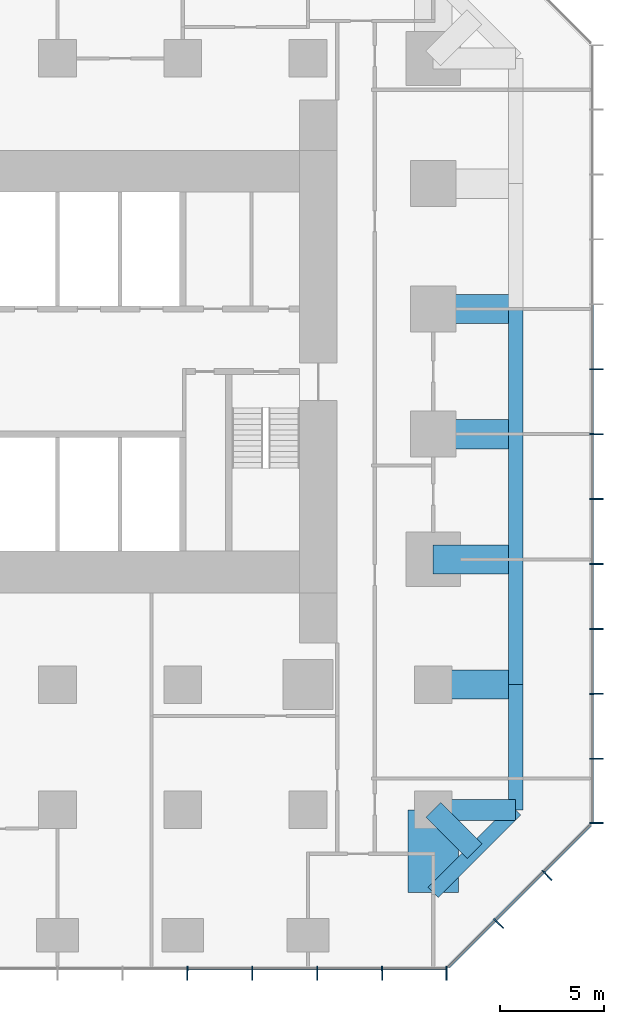
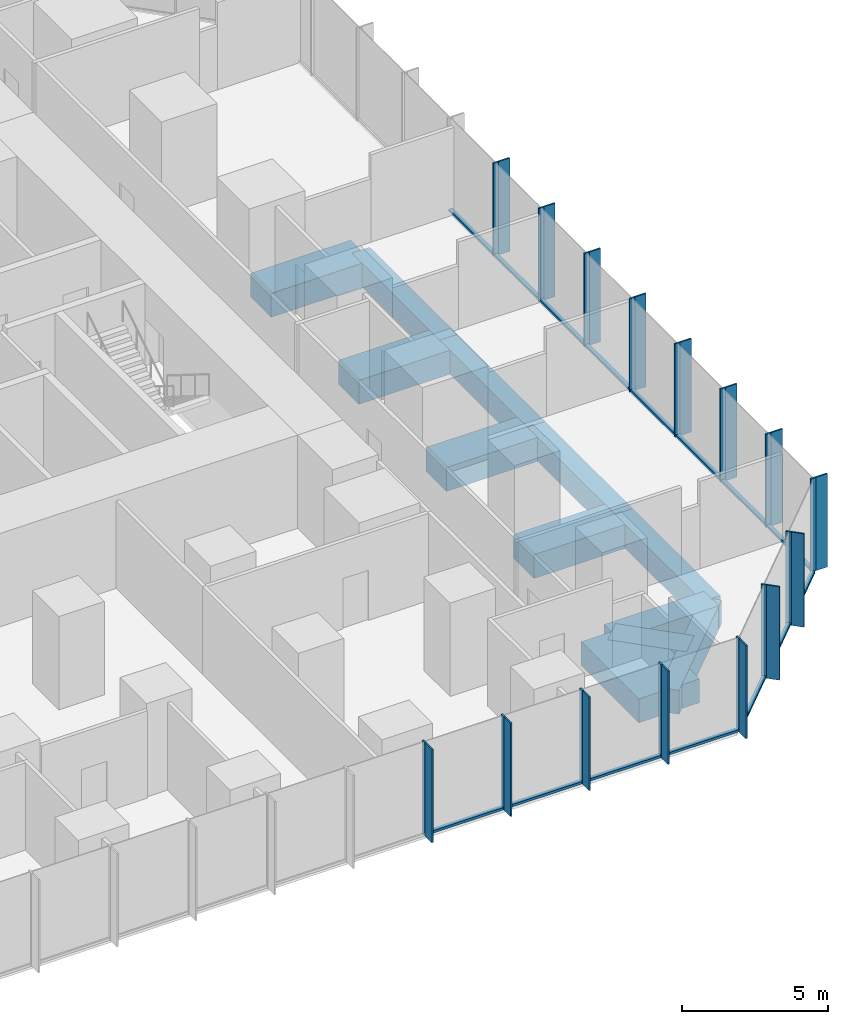
# One storey, part 4 of 12: 45 members, 12 beams, 3 elements without a shape of their own.
"""IFC4 building model written with IfcOpenShell, lengths in metres."""

from ifc_helpers import new_model, si_unit, direction, frame, origin, origin_2d, place, context, subcontext, project, spatial, rectangle, extrude, material, layer, layer_set, material_profile, profile_set, type_object, element, aggregate, save


model = new_model("IFC4")

# Units and contexts
model_context = context("Model", 3, precision=1e-05, world=origin(), true_north=direction((0.0, 1.0)))
body_context = subcontext(model_context, "Body", "Model", "MODEL_VIEW")
ifc_project = project(units=[si_unit("LENGTHUNIT", "METRE"), si_unit("AREAUNIT", "SQUARE_METRE"), si_unit("VOLUMEUNIT", "CUBIC_METRE"), si_unit("PLANEANGLEUNIT", "RADIAN"), si_unit("MASSUNIT", "GRAM", prefix="KILO")], contexts=[model_context])

# Site, building, storey
site_placement = place(None, origin())
site = spatial("IfcSite", under=ifc_project, at=site_placement, CompositionType="ELEMENT")
building_placement = place(site_placement, origin())
building = spatial("IfcBuilding", under=site, at=building_placement, Name="Highveld Stack Headquarters", CompositionType="ELEMENT")
storey_placement = place(building_placement, frame((0.0, 0.0, 53.300048828125)))
storey = spatial("IfcBuildingStorey", under=building, at=storey_placement, Name="L12", CompositionType="ELEMENT", Elevation=53.300048828125)

# Beams
ifc_material_1 = material(Name="Concrete C60/75", Category="concrete")
ifc_material_profile_1 = material_profile(ifc_material_1, rectangle(XDim=1.0, YDim=1.0, at=origin_2d()), Name="RC 1000x1000")
ifc_profile_set_1 = profile_set([ifc_material_profile_1], Name="Concrete C60/75")
beam_type_1 = type_object("IfcBeamType", Name="CANTILEVER RIB RC 1000x1000", PredefinedType="USERDEFINED", material=ifc_profile_set_1)
beam_1_placement = place(storey_placement, frame((24.0, -18.0, -0.75), z_axis=(1.0, 0.0, 0.0), x_axis=(0.0, 1.0, 0.0)))
element("IfcBeam", 1, at=beam_1_placement, inside=storey, type_object=beam_type_1, Name="Cantilever rib 10/B L12", ObjectType="CANTILEVER RIB", PredefinedType="USERDEFINED", context=body_context, shape_type="SweptSolid", body=[
    extrude(rectangle(XDim=1.0, YDim=1.0, at=origin_2d()), origin(), (0.0, 0.0, 1.0), 3.949951171875),
])
beam_2_placement = place(storey_placement, frame((24.0, -18.0, -0.75), z_axis=(0.707106781187, -0.707106781187, 0.0), x_axis=(0.707106781187, 0.707106781187, 0.0)))
element("IfcBeam", 2, at=beam_2_placement, inside=storey, type_object=beam_type_1, Name="Cantilever rib 10/B L12", ObjectType="CANTILEVER RIB", PredefinedType="USERDEFINED", context=body_context, shape_type="SweptSolid", body=[
    extrude(rectangle(XDim=1.0, YDim=1.0, at=origin_2d()), origin(), (0.0, 0.0, 1.0), 2.793212890625),
])
ifc_material_2 = material(Name="Concrete C60/75", Category="concrete")
ifc_material_profile_2 = material_profile(ifc_material_2, rectangle(XDim=1.39990234375, YDim=1.0, at=origin_2d()), Name="RC 1400x1000")
ifc_profile_set_2 = profile_set([ifc_material_profile_2], Name="Concrete C60/75")
beam_type_2 = type_object("IfcBeamType", Name="CANTILEVER RIB RC 1400x1000", PredefinedType="USERDEFINED", material=ifc_profile_set_2)
for number, where, z_axis, x_axis, name in (
    (3, (24.0, -12.0, -0.75), (1.0, 0.0, 0.0), (0.0, 1.0, 0.0), "Cantilever rib 10/C L12"),
    (4, (24.0, -6.0, -0.75), (1.0, 0.0, 0.0), (0.0, 1.0, 0.0), "Cantilever rib 10/D L12"),
    (5, (24.0, 0.0, -0.75), (1.0, 0.0, 0.0), (0.0, 1.0, 0.0), "Cantilever rib 10/E L12"),
    (6, (24.0, 6.0, -0.75), (1.0, 0.0, 0.0), (0.0, 1.0, 0.0), "Cantilever rib 10/F L12"),
):
    element("IfcBeam", number, at=place(storey_placement, frame(where, z_axis=z_axis, x_axis=x_axis)), inside=storey, type_object=beam_type_2, Name=name, ObjectType="CANTILEVER RIB", PredefinedType="USERDEFINED", context=body_context, shape_type="SweptSolid", body=[
        extrude(rectangle(XDim=1.39990234375, YDim=1.0, at=origin_2d()), origin(), (0.0, 0.0, 1.0), 3.949951171875),
    ])
ifc_material_3 = material(Name="Concrete C60/75", Category="concrete")
ifc_material_profile_3 = material_profile(ifc_material_3, rectangle(XDim=2.39990234375, YDim=1.0, at=origin_2d()), Name="RC 2400x1000")
ifc_profile_set_3 = profile_set([ifc_material_profile_3], Name="Concrete C60/75")
beam_type_3 = type_object("IfcBeamType", Name="CANTILEVER RIB RC 2400x1000", PredefinedType="USERDEFINED", material=ifc_profile_set_3)
beam_3_placement = place(storey_placement, frame((24.0, -18.0, -0.75), z_axis=(0.0, -1.0, 0.0), x_axis=(1.0, 0.0, 0.0)))
element("IfcBeam", 7, at=beam_3_placement, inside=storey, type_object=beam_type_3, Name="Cantilever rib 10/B L12", ObjectType="CANTILEVER RIB", PredefinedType="USERDEFINED", context=body_context, shape_type="SweptSolid", body=[
    extrude(rectangle(XDim=2.39990234375, YDim=1.0, at=origin_2d()), origin(), (0.0, 0.0, 1.0), 3.949951171875),
])

# Curtain wall, members
ifc_material_4 = material(Name="Aluminium bronze anodised", Category="aluminium")
ifc_layer_1 = layer(ifc_material_4, 0.199951171875)
ifc_layer_set_1 = layer_set([ifc_layer_1], Name="Aluminium bronze anodised")
curtain_wall_type_1 = type_object("IfcCurtainWallType", Name="CW1 TOWER UNITISED CURTAIN WALL", PredefinedType="NOTDEFINED", material=ifc_layer_set_1)
curtain_wall_1_placement = place(storey_placement, origin())
curtain_wall_1 = element("IfcCurtainWall", 8, at=curtain_wall_1_placement, inside=storey, type_object=curtain_wall_type_1, Name="Curtain wall CW1 L12 S", PredefinedType="NOTDEFINED")
ifc_material_5 = material(Name="Aluminium bronze anodised", Category="aluminium")
ifc_material_profile_4 = material_profile(ifc_material_5, rectangle(XDim=0.449951171875, YDim=0.06005859375, at=origin_2d()), Name="FIN 450x60")
ifc_profile_set_4 = profile_set([ifc_material_profile_4], Name="Aluminium bronze anodised")
member_type_1 = type_object("IfcMemberType", Name="CW1 BRONZE FIN 450x60", PredefinedType="USERDEFINED", material=ifc_profile_set_4)
member_1_placement = place(storey_placement, frame((12.220947265625, -25.925048828125, 0.0), z_axis=(0.0, 0.0, 1.0), x_axis=(0.0, 1.0, 0.0)))
member_1 = element("IfcMember", 9, at=member_1_placement, type_object=member_type_1, Name="CW1 fin L12 9", ObjectType="FIN", PredefinedType="USERDEFINED", context=body_context, shape_type="SweptSolid", body=[
    extrude(rectangle(XDim=0.449951171875, YDim=0.06005859375, at=origin_2d()), origin(), (0.0, 0.0, 1.0), 3.89990234375),
])
member_2_placement = place(storey_placement, frame((15.331298828125, -25.925048828125, 0.0), z_axis=(0.0, 0.0, 1.0), x_axis=(0.0, 1.0, 0.0)))
member_2 = element("IfcMember", 10, at=member_2_placement, type_object=member_type_1, Name="CW1 fin L12 10", ObjectType="FIN", PredefinedType="USERDEFINED", context=body_context, shape_type="SweptSolid", body=[
    extrude(rectangle(XDim=0.449951171875, YDim=0.06005859375, at=origin_2d()), origin(), (0.0, 0.0, 1.0), 3.89990234375),
])
member_3_placement = place(storey_placement, frame((18.44189453125, -25.925048828125, 0.0), z_axis=(0.0, 0.0, 1.0), x_axis=(0.0, 1.0, 0.0)))
member_3 = element("IfcMember", 11, at=member_3_placement, type_object=member_type_1, Name="CW1 fin L12 11", ObjectType="FIN", PredefinedType="USERDEFINED", context=body_context, shape_type="SweptSolid", body=[
    extrude(rectangle(XDim=0.449951171875, YDim=0.06005859375, at=origin_2d()), origin(), (0.0, 0.0, 1.0), 3.89990234375),
])
member_4_placement = place(storey_placement, frame((21.55224609375, -25.925048828125, 0.0), z_axis=(0.0, 0.0, 1.0), x_axis=(0.0, 1.0, 0.0)))
member_4 = element("IfcMember", 12, at=member_4_placement, type_object=member_type_1, Name="CW1 fin L12 12", ObjectType="FIN", PredefinedType="USERDEFINED", context=body_context, shape_type="SweptSolid", body=[
    extrude(rectangle(XDim=0.449951171875, YDim=0.06005859375, at=origin_2d()), origin(), (0.0, 0.0, 1.0), 3.89990234375),
])
member_5_placement = place(storey_placement, frame((24.630126953125, -25.925048828125, 0.0), z_axis=(0.0, 0.0, 1.0), x_axis=(0.0, 1.0, 0.0)))
member_5 = element("IfcMember", 13, at=member_5_placement, type_object=member_type_1, Name="CW1 fin L12 13", ObjectType="FIN", PredefinedType="USERDEFINED", context=body_context, shape_type="SweptSolid", body=[
    extrude(rectangle(XDim=0.449951171875, YDim=0.06005859375, at=origin_2d()), origin(), (0.0, 0.0, 1.0), 3.89990234375),
])

curtain_wall_2_placement = place(storey_placement, origin())
curtain_wall_2 = element("IfcCurtainWall", 14, at=curtain_wall_2_placement, inside=storey, type_object=curtain_wall_type_1, Name="Curtain wall CW1 L12 E", PredefinedType="NOTDEFINED")
member_6_placement = place(storey_placement, frame((31.925048828125, -18.630126953125, 0.0), z_axis=(0.0, 0.0, 1.0), x_axis=(-1.0, 0.0, 0.0)))
member_6 = element("IfcMember", 15, at=member_6_placement, type_object=member_type_1, Name="CW1 fin L12 1", ObjectType="FIN", PredefinedType="USERDEFINED", context=body_context, shape_type="SweptSolid", body=[
    extrude(rectangle(XDim=0.449951171875, YDim=0.06005859375, at=origin_2d()), origin(), (0.0, 0.0, 1.0), 3.89990234375),
])
member_7_placement = place(storey_placement, frame((31.925048828125, -15.55224609375, 0.0), z_axis=(0.0, 0.0, 1.0), x_axis=(-1.0, 0.0, 0.0)))
member_7 = element("IfcMember", 16, at=member_7_placement, type_object=member_type_1, Name="CW1 fin L12 2", ObjectType="FIN", PredefinedType="USERDEFINED", context=body_context, shape_type="SweptSolid", body=[
    extrude(rectangle(XDim=0.449951171875, YDim=0.06005859375, at=origin_2d()), origin(), (0.0, 0.0, 1.0), 3.89990234375),
])
member_8_placement = place(storey_placement, frame((31.925048828125, -12.44189453125, 0.0), z_axis=(0.0, 0.0, 1.0), x_axis=(-1.0, 0.0, 0.0)))
member_8 = element("IfcMember", 17, at=member_8_placement, type_object=member_type_1, Name="CW1 fin L12 3", ObjectType="FIN", PredefinedType="USERDEFINED", context=body_context, shape_type="SweptSolid", body=[
    extrude(rectangle(XDim=0.449951171875, YDim=0.06005859375, at=origin_2d()), origin(), (0.0, 0.0, 1.0), 3.89990234375),
])
member_9_placement = place(storey_placement, frame((31.925048828125, -9.331298828125, 0.0), z_axis=(0.0, 0.0, 1.0), x_axis=(-1.0, 0.0, 0.0)))
member_9 = element("IfcMember", 18, at=member_9_placement, type_object=member_type_1, Name="CW1 fin L12 4", ObjectType="FIN", PredefinedType="USERDEFINED", context=body_context, shape_type="SweptSolid", body=[
    extrude(rectangle(XDim=0.449951171875, YDim=0.06005859375, at=origin_2d()), origin(), (0.0, 0.0, 1.0), 3.89990234375),
])
member_10_placement = place(storey_placement, frame((31.925048828125, -6.220947265625, 0.0), z_axis=(0.0, 0.0, 1.0), x_axis=(-1.0, 0.0, 0.0)))
member_10 = element("IfcMember", 19, at=member_10_placement, type_object=member_type_1, Name="CW1 fin L12 5", ObjectType="FIN", PredefinedType="USERDEFINED", context=body_context, shape_type="SweptSolid", body=[
    extrude(rectangle(XDim=0.449951171875, YDim=0.06005859375, at=origin_2d()), origin(), (0.0, 0.0, 1.0), 3.89990234375),
])
member_11_placement = place(storey_placement, frame((31.925048828125, -3.110595703125, 0.0), z_axis=(0.0, 0.0, 1.0), x_axis=(-1.0, 0.0, 0.0)))
member_11 = element("IfcMember", 20, at=member_11_placement, type_object=member_type_1, Name="CW1 fin L12 6", ObjectType="FIN", PredefinedType="USERDEFINED", context=body_context, shape_type="SweptSolid", body=[
    extrude(rectangle(XDim=0.449951171875, YDim=0.06005859375, at=origin_2d()), origin(), (0.0, 0.0, 1.0), 3.89990234375),
])
member_12_placement = place(storey_placement, frame((31.925048828125, 0.0, 0.0), z_axis=(0.0, 0.0, 1.0), x_axis=(-1.0, 0.0, 0.0)))
member_12 = element("IfcMember", 21, at=member_12_placement, type_object=member_type_1, Name="CW1 fin L12 7", ObjectType="FIN", PredefinedType="USERDEFINED", context=body_context, shape_type="SweptSolid", body=[
    extrude(rectangle(XDim=0.449951171875, YDim=0.06005859375, at=origin_2d()), origin(), (0.0, 0.0, 1.0), 3.89990234375),
])
member_13_placement = place(storey_placement, frame((31.925048828125, 3.110595703125, 0.0), z_axis=(0.0, 0.0, 1.0), x_axis=(-1.0, 0.0, 0.0)))
member_13 = element("IfcMember", 22, at=member_13_placement, type_object=member_type_1, Name="CW1 fin L12 8", ObjectType="FIN", PredefinedType="USERDEFINED", context=body_context, shape_type="SweptSolid", body=[
    extrude(rectangle(XDim=0.449951171875, YDim=0.06005859375, at=origin_2d()), origin(), (0.0, 0.0, 1.0), 3.89990234375),
])

# Member
ifc_material_6 = material(Name="Aluminium bronze anodised", Category="aluminium")
ifc_material_profile_5 = material_profile(ifc_material_6, rectangle(XDim=0.199951171875, YDim=0.06494140625, at=origin_2d()), Name="CW1 MULLION 65x200")
ifc_profile_set_5 = profile_set([ifc_material_profile_5], Name="Aluminium bronze anodised")
member_type_2 = type_object("IfcMemberType", Name="CW1 MULLION 65x200", PredefinedType="MULLION", material=ifc_profile_set_5)
member_14_placement = place(storey_placement, frame((12.220947265625, -25.60009765625, 0.0), z_axis=(0.0, 0.0, 1.0), x_axis=(0.0, 1.0, 0.0)))
member_14 = element("IfcMember", 23, at=member_14_placement, type_object=member_type_2, Name="CW1 mullion L12 9", PredefinedType="MULLION", context=body_context, shape_type="SweptSolid", body=[
    extrude(rectangle(XDim=0.199951171875, YDim=0.06494140625, at=origin_2d()), origin(), (0.0, 0.0, 1.0), 3.89990234375),
])

member_15_placement = place(storey_placement, frame((15.331298828125, -25.60009765625, 0.0), z_axis=(0.0, 0.0, 1.0), x_axis=(0.0, 1.0, 0.0)))
member_15 = element("IfcMember", 24, at=member_15_placement, type_object=member_type_2, Name="CW1 mullion L12 10", PredefinedType="MULLION", context=body_context, shape_type="SweptSolid", body=[
    extrude(rectangle(XDim=0.199951171875, YDim=0.06494140625, at=origin_2d()), origin(), (0.0, 0.0, 1.0), 3.89990234375),
])

member_16_placement = place(storey_placement, frame((18.44189453125, -25.60009765625, 0.0), z_axis=(0.0, 0.0, 1.0), x_axis=(0.0, 1.0, 0.0)))
member_16 = element("IfcMember", 25, at=member_16_placement, type_object=member_type_2, Name="CW1 mullion L12 11", PredefinedType="MULLION", context=body_context, shape_type="SweptSolid", body=[
    extrude(rectangle(XDim=0.199951171875, YDim=0.06494140625, at=origin_2d()), origin(), (0.0, 0.0, 1.0), 3.89990234375),
])

member_17_placement = place(storey_placement, frame((21.55224609375, -25.60009765625, 0.0), z_axis=(0.0, 0.0, 1.0), x_axis=(0.0, 1.0, 0.0)))
member_17 = element("IfcMember", 26, at=member_17_placement, type_object=member_type_2, Name="CW1 mullion L12 12", PredefinedType="MULLION", context=body_context, shape_type="SweptSolid", body=[
    extrude(rectangle(XDim=0.199951171875, YDim=0.06494140625, at=origin_2d()), origin(), (0.0, 0.0, 1.0), 3.89990234375),
])

member_18_placement = place(storey_placement, frame((24.630126953125, -25.60009765625, 0.0), z_axis=(0.0, 0.0, 1.0), x_axis=(0.0, 1.0, 0.0)))
member_18 = element("IfcMember", 27, at=member_18_placement, type_object=member_type_2, Name="CW1 mullion L12 13", PredefinedType="MULLION", context=body_context, shape_type="SweptSolid", body=[
    extrude(rectangle(XDim=0.199951171875, YDim=0.06494140625, at=origin_2d()), origin(), (0.0, 0.0, 1.0), 3.89990234375),
])

member_19_placement = place(storey_placement, frame((31.60009765625, -18.630126953125, 0.0), z_axis=(0.0, 0.0, 1.0), x_axis=(-1.0, 0.0, 0.0)))
member_19 = element("IfcMember", 28, at=member_19_placement, type_object=member_type_2, Name="CW1 mullion L12 1", PredefinedType="MULLION", context=body_context, shape_type="SweptSolid", body=[
    extrude(rectangle(XDim=0.199951171875, YDim=0.06494140625, at=origin_2d()), origin(), (0.0, 0.0, 1.0), 3.89990234375),
])

member_20_placement = place(storey_placement, frame((31.60009765625, -15.55224609375, 0.0), z_axis=(0.0, 0.0, 1.0), x_axis=(-1.0, 0.0, 0.0)))
member_20 = element("IfcMember", 29, at=member_20_placement, type_object=member_type_2, Name="CW1 mullion L12 2", PredefinedType="MULLION", context=body_context, shape_type="SweptSolid", body=[
    extrude(rectangle(XDim=0.199951171875, YDim=0.06494140625, at=origin_2d()), origin(), (0.0, 0.0, 1.0), 3.89990234375),
])

member_21_placement = place(storey_placement, frame((31.60009765625, -12.44189453125, 0.0), z_axis=(0.0, 0.0, 1.0), x_axis=(-1.0, 0.0, 0.0)))
member_21 = element("IfcMember", 30, at=member_21_placement, type_object=member_type_2, Name="CW1 mullion L12 3", PredefinedType="MULLION", context=body_context, shape_type="SweptSolid", body=[
    extrude(rectangle(XDim=0.199951171875, YDim=0.06494140625, at=origin_2d()), origin(), (0.0, 0.0, 1.0), 3.89990234375),
])

member_22_placement = place(storey_placement, frame((31.60009765625, -9.331298828125, 0.0), z_axis=(0.0, 0.0, 1.0), x_axis=(-1.0, 0.0, 0.0)))
member_22 = element("IfcMember", 31, at=member_22_placement, type_object=member_type_2, Name="CW1 mullion L12 4", PredefinedType="MULLION", context=body_context, shape_type="SweptSolid", body=[
    extrude(rectangle(XDim=0.199951171875, YDim=0.06494140625, at=origin_2d()), origin(), (0.0, 0.0, 1.0), 3.89990234375),
])

member_23_placement = place(storey_placement, frame((31.60009765625, -6.220947265625, 0.0), z_axis=(0.0, 0.0, 1.0), x_axis=(-1.0, 0.0, 0.0)))
member_23 = element("IfcMember", 32, at=member_23_placement, type_object=member_type_2, Name="CW1 mullion L12 5", PredefinedType="MULLION", context=body_context, shape_type="SweptSolid", body=[
    extrude(rectangle(XDim=0.199951171875, YDim=0.06494140625, at=origin_2d()), origin(), (0.0, 0.0, 1.0), 3.89990234375),
])

member_24_placement = place(storey_placement, frame((31.60009765625, -3.110595703125, 0.0), z_axis=(0.0, 0.0, 1.0), x_axis=(-1.0, 0.0, 0.0)))
member_24 = element("IfcMember", 33, at=member_24_placement, type_object=member_type_2, Name="CW1 mullion L12 6", PredefinedType="MULLION", context=body_context, shape_type="SweptSolid", body=[
    extrude(rectangle(XDim=0.199951171875, YDim=0.06494140625, at=origin_2d()), origin(), (0.0, 0.0, 1.0), 3.89990234375),
])

member_25_placement = place(storey_placement, frame((31.60009765625, 0.0, 0.0), z_axis=(0.0, 0.0, 1.0), x_axis=(-1.0, 0.0, 0.0)))
member_25 = element("IfcMember", 34, at=member_25_placement, type_object=member_type_2, Name="CW1 mullion L12 7", PredefinedType="MULLION", context=body_context, shape_type="SweptSolid", body=[
    extrude(rectangle(XDim=0.199951171875, YDim=0.06494140625, at=origin_2d()), origin(), (0.0, 0.0, 1.0), 3.89990234375),
])

member_26_placement = place(storey_placement, frame((31.60009765625, 3.110595703125, 0.0), z_axis=(0.0, 0.0, 1.0), x_axis=(-1.0, 0.0, 0.0)))
member_26 = element("IfcMember", 35, at=member_26_placement, type_object=member_type_2, Name="CW1 mullion L12 8", PredefinedType="MULLION", context=body_context, shape_type="SweptSolid", body=[
    extrude(rectangle(XDim=0.199951171875, YDim=0.06494140625, at=origin_2d()), origin(), (0.0, 0.0, 1.0), 3.89990234375),
])

ifc_material_7 = material(Name="Aluminium bronze anodised", Category="aluminium")
ifc_material_profile_6 = material_profile(ifc_material_7, rectangle(XDim=0.14990234375, YDim=0.10009765625, at=origin_2d()), Name="CW1 TRANSOM 150x100")
ifc_profile_set_6 = profile_set([ifc_material_profile_6], Name="Aluminium bronze anodised")
member_type_3 = type_object("IfcMemberType", Name="CW1 STACK TRANSOM 150x100", PredefinedType="USERDEFINED", material=ifc_profile_set_6)
member_27_placement = place(storey_placement, frame((12.25341796875, -25.60009765625, 0.050048828125), z_axis=(1.0, 0.0, 0.0), x_axis=(0.0, 1.0, 0.0)))
member_27 = element("IfcMember", 36, at=member_27_placement, type_object=member_type_3, Name="CW1 transom L12 9.1", ObjectType="TRANSOM", PredefinedType="USERDEFINED", context=body_context, shape_type="SweptSolid", body=[
    extrude(rectangle(XDim=0.14990234375, YDim=0.10009765625, at=origin_2d()), origin(), (0.0, 0.0, 1.0), 3.04541015625),
])

member_28_placement = place(storey_placement, frame((15.364013671875, -25.60009765625, 0.050048828125), z_axis=(1.0, 0.0, 0.0), x_axis=(0.0, 1.0, 0.0)))
member_28 = element("IfcMember", 37, at=member_28_placement, type_object=member_type_3, Name="CW1 transom L12 10.1", ObjectType="TRANSOM", PredefinedType="USERDEFINED", context=body_context, shape_type="SweptSolid", body=[
    extrude(rectangle(XDim=0.14990234375, YDim=0.10009765625, at=origin_2d()), origin(), (0.0, 0.0, 1.0), 3.045166015625),
])

member_29_placement = place(storey_placement, frame((18.474365234375, -25.60009765625, 0.050048828125), z_axis=(1.0, 0.0, 0.0), x_axis=(0.0, 1.0, 0.0)))
member_29 = element("IfcMember", 38, at=member_29_placement, type_object=member_type_3, Name="CW1 transom L12 11.1", ObjectType="TRANSOM", PredefinedType="USERDEFINED", context=body_context, shape_type="SweptSolid", body=[
    extrude(rectangle(XDim=0.14990234375, YDim=0.10009765625, at=origin_2d()), origin(), (0.0, 0.0, 1.0), 3.04541015625),
])

member_30_placement = place(storey_placement, frame((21.584716796875, -25.60009765625, 0.050048828125), z_axis=(1.0, 0.0, 0.0), x_axis=(0.0, 1.0, 0.0)))
member_30 = element("IfcMember", 39, at=member_30_placement, type_object=member_type_3, Name="CW1 transom L12 12.1", ObjectType="TRANSOM", PredefinedType="USERDEFINED", context=body_context, shape_type="SweptSolid", body=[
    extrude(rectangle(XDim=0.14990234375, YDim=0.10009765625, at=origin_2d()), origin(), (0.0, 0.0, 1.0), 3.012939453125),
])

aggregate(curtain_wall_1, [member_14, member_1, member_15, member_2, member_16, member_3, member_17, member_4, member_18, member_5, member_27, member_28, member_29, member_30])

member_31_placement = place(storey_placement, frame((31.60009765625, -18.59765625, 0.050048828125), z_axis=(0.0, 1.0, 0.0), x_axis=(-1.0, 0.0, 0.0)))
member_31 = element("IfcMember", 40, at=member_31_placement, type_object=member_type_3, Name="CW1 transom L12 1.1", ObjectType="TRANSOM", PredefinedType="USERDEFINED", context=body_context, shape_type="SweptSolid", body=[
    extrude(rectangle(XDim=0.14990234375, YDim=0.10009765625, at=origin_2d()), origin(), (0.0, 0.0, 1.0), 3.012939453125),
])

member_32_placement = place(storey_placement, frame((31.60009765625, -15.519775390625, 0.050048828125), z_axis=(0.0, 1.0, 0.0), x_axis=(-1.0, 0.0, 0.0)))
member_32 = element("IfcMember", 41, at=member_32_placement, type_object=member_type_3, Name="CW1 transom L12 2.1", ObjectType="TRANSOM", PredefinedType="USERDEFINED", context=body_context, shape_type="SweptSolid", body=[
    extrude(rectangle(XDim=0.14990234375, YDim=0.10009765625, at=origin_2d()), origin(), (0.0, 0.0, 1.0), 3.04541015625),
])

member_33_placement = place(storey_placement, frame((31.60009765625, -12.4091796875, 0.050048828125), z_axis=(0.0, 1.0, 0.0), x_axis=(-1.0, 0.0, 0.0)))
member_33 = element("IfcMember", 42, at=member_33_placement, type_object=member_type_3, Name="CW1 transom L12 3.1", ObjectType="TRANSOM", PredefinedType="USERDEFINED", context=body_context, shape_type="SweptSolid", body=[
    extrude(rectangle(XDim=0.14990234375, YDim=0.10009765625, at=origin_2d()), origin(), (0.0, 0.0, 1.0), 3.045166015625),
])

member_34_placement = place(storey_placement, frame((31.60009765625, -9.298828125, 0.050048828125), z_axis=(0.0, 1.0, 0.0), x_axis=(-1.0, 0.0, 0.0)))
member_34 = element("IfcMember", 43, at=member_34_placement, type_object=member_type_3, Name="CW1 transom L12 4.1", ObjectType="TRANSOM", PredefinedType="USERDEFINED", context=body_context, shape_type="SweptSolid", body=[
    extrude(rectangle(XDim=0.14990234375, YDim=0.10009765625, at=origin_2d()), origin(), (0.0, 0.0, 1.0), 3.04541015625),
])

member_35_placement = place(storey_placement, frame((31.60009765625, -6.1884765625, 0.050048828125), z_axis=(0.0, 1.0, 0.0), x_axis=(-1.0, 0.0, 0.0)))
member_35 = element("IfcMember", 44, at=member_35_placement, type_object=member_type_3, Name="CW1 transom L12 5.1", ObjectType="TRANSOM", PredefinedType="USERDEFINED", context=body_context, shape_type="SweptSolid", body=[
    extrude(rectangle(XDim=0.14990234375, YDim=0.10009765625, at=origin_2d()), origin(), (0.0, 0.0, 1.0), 3.04541015625),
])

member_36_placement = place(storey_placement, frame((31.60009765625, -3.077880859375, 0.050048828125), z_axis=(0.0, 1.0, 0.0), x_axis=(-1.0, 0.0, 0.0)))
member_36 = element("IfcMember", 45, at=member_36_placement, type_object=member_type_3, Name="CW1 transom L12 6.1", ObjectType="TRANSOM", PredefinedType="USERDEFINED", context=body_context, shape_type="SweptSolid", body=[
    extrude(rectangle(XDim=0.14990234375, YDim=0.10009765625, at=origin_2d()), origin(), (0.0, 0.0, 1.0), 3.04541015625),
])

member_37_placement = place(storey_placement, frame((31.60009765625, 0.032470703125, 0.050048828125), z_axis=(0.0, 1.0, 0.0), x_axis=(-1.0, 0.0, 0.0)))
member_37 = element("IfcMember", 46, at=member_37_placement, type_object=member_type_3, Name="CW1 transom L12 7.1", ObjectType="TRANSOM", PredefinedType="USERDEFINED", context=body_context, shape_type="SweptSolid", body=[
    extrude(rectangle(XDim=0.14990234375, YDim=0.10009765625, at=origin_2d()), origin(), (0.0, 0.0, 1.0), 3.04541015625),
])

member_38_placement = place(storey_placement, frame((31.60009765625, 3.142822265625, 0.050048828125), z_axis=(0.0, 1.0, 0.0), x_axis=(-1.0, 0.0, 0.0)))
member_38 = element("IfcMember", 47, at=member_38_placement, type_object=member_type_3, Name="CW1 transom L12 8.1", ObjectType="TRANSOM", PredefinedType="USERDEFINED", context=body_context, shape_type="SweptSolid", body=[
    extrude(rectangle(XDim=0.14990234375, YDim=0.10009765625, at=origin_2d()), origin(), (0.0, 0.0, 1.0), 3.045654296875),
])

aggregate(curtain_wall_2, [member_19, member_6, member_20, member_7, member_21, member_8, member_22, member_9, member_23, member_10, member_24, member_11, member_25, member_12, member_26, member_13, member_31, member_32, member_33, member_34, member_35, member_36, member_37, member_38])

# Curtain wall, members
ifc_material_8 = material(Name="Aluminium bronze anodised", Category="aluminium")
ifc_layer_2 = layer(ifc_material_8, 0.199951171875)
ifc_layer_set_2 = layer_set([ifc_layer_2], Name="Aluminium bronze anodised")
curtain_wall_type_2 = type_object("IfcCurtainWallType", Name="CW2 TOWER CHAMFER UNITISED CURTAIN WALL", PredefinedType="NOTDEFINED", material=ifc_layer_set_2)
curtain_wall_3_placement = place(storey_placement, origin())
curtain_wall_3 = element("IfcCurtainWall", 48, at=curtain_wall_3_placement, inside=storey, type_object=curtain_wall_type_2, Name="Curtain wall CW2 L12 SE", PredefinedType="NOTDEFINED")
ifc_material_9 = material(Name="Aluminium bronze anodised", Category="aluminium")
ifc_material_profile_7 = material_profile(ifc_material_9, rectangle(XDim=0.449951171875, YDim=0.06005859375, at=origin_2d()), Name="FIN 450x60")
ifc_profile_set_7 = profile_set([ifc_material_profile_7], Name="Aluminium bronze anodised")
member_type_4 = type_object("IfcMemberType", Name="CW2 BRONZE FIN 450x60", PredefinedType="USERDEFINED", material=ifc_profile_set_7)
member_39_placement = place(storey_placement, frame((27.204833984375, -23.517333984375, 0.0), z_axis=(0.0, 0.0, 1.0), x_axis=(-0.707106781187, 0.707106781187, 0.0)))
member_39 = element("IfcMember", 49, at=member_39_placement, type_object=member_type_4, Name="CW2 fin L12 1", ObjectType="FIN", PredefinedType="USERDEFINED", context=body_context, shape_type="SweptSolid", body=[
    extrude(rectangle(XDim=0.449951171875, YDim=0.06005859375, at=origin_2d()), origin(), (0.0, 0.0, 1.0), 3.89990234375),
])
member_40_placement = place(storey_placement, frame((29.517333984375, -21.204833984375, 0.0), z_axis=(0.0, 0.0, 1.0), x_axis=(-0.707106781187, 0.707106781187, 0.0)))
member_40 = element("IfcMember", 50, at=member_40_placement, type_object=member_type_4, Name="CW2 fin L12 2", ObjectType="FIN", PredefinedType="USERDEFINED", context=body_context, shape_type="SweptSolid", body=[
    extrude(rectangle(XDim=0.449951171875, YDim=0.06005859375, at=origin_2d()), origin(), (0.0, 0.0, 1.0), 3.89990234375),
])
ifc_material_10 = material(Name="Aluminium bronze anodised", Category="aluminium")
ifc_material_profile_8 = material_profile(ifc_material_10, rectangle(XDim=0.199951171875, YDim=0.06494140625, at=origin_2d()), Name="CW2 MULLION 65x200")
ifc_profile_set_8 = profile_set([ifc_material_profile_8], Name="Aluminium bronze anodised")
member_type_5 = type_object("IfcMemberType", Name="CW2 MULLION 65x200", PredefinedType="MULLION", material=ifc_profile_set_8)
member_41_placement = place(storey_placement, frame((26.97509765625, -23.28759765625, 0.0), z_axis=(0.0, 0.0, 1.0), x_axis=(-0.707106781187, 0.707106781187, 0.0)))
member_41 = element("IfcMember", 51, at=member_41_placement, type_object=member_type_5, Name="CW2 mullion L12 1", PredefinedType="MULLION", context=body_context, shape_type="SweptSolid", body=[
    extrude(rectangle(XDim=0.199951171875, YDim=0.06494140625, at=origin_2d()), origin(), (0.0, 0.0, 1.0), 3.89990234375),
])
member_42_placement = place(storey_placement, frame((29.28759765625, -20.97509765625, 0.0), z_axis=(0.0, 0.0, 1.0), x_axis=(-0.707106781187, 0.707106781187, 0.0)))
member_42 = element("IfcMember", 52, at=member_42_placement, type_object=member_type_5, Name="CW2 mullion L12 2", PredefinedType="MULLION", context=body_context, shape_type="SweptSolid", body=[
    extrude(rectangle(XDim=0.199951171875, YDim=0.06494140625, at=origin_2d()), origin(), (0.0, 0.0, 1.0), 3.89990234375),
])
ifc_material_11 = material(Name="Aluminium bronze anodised", Category="aluminium")
ifc_material_profile_9 = material_profile(ifc_material_11, rectangle(XDim=0.14990234375, YDim=0.10009765625, at=origin_2d()), Name="CW2 TRANSOM 150x100")
ifc_profile_set_9 = profile_set([ifc_material_profile_9], Name="Aluminium bronze anodised")
member_type_6 = type_object("IfcMemberType", Name="CW2 STACK TRANSOM 150x100", PredefinedType="USERDEFINED", material=ifc_profile_set_9)
member_43_placement = place(storey_placement, frame((24.7333984375, -25.529296875, 0.050048828125), z_axis=(0.707106781187, 0.707106781187, 0.0), x_axis=(-0.707106781187, 0.707106781187, 0.0)))
member_43 = element("IfcMember", 53, at=member_43_placement, type_object=member_type_6, Name="CW2 transom L12 1.1", ObjectType="TRANSOM", PredefinedType="USERDEFINED", context=body_context, shape_type="SweptSolid", body=[
    extrude(rectangle(XDim=0.14990234375, YDim=0.10009765625, at=origin_2d()), origin(), (0.0, 0.0, 1.0), 3.1376953125),
])
member_44_placement = place(storey_placement, frame((26.998046875, -23.2646484375, 0.050048828125), z_axis=(0.707106781187, 0.707106781187, 0.0), x_axis=(-0.707106781187, 0.707106781187, 0.0)))
member_44 = element("IfcMember", 54, at=member_44_placement, type_object=member_type_6, Name="CW2 transom L12 2.1", ObjectType="TRANSOM", PredefinedType="USERDEFINED", context=body_context, shape_type="SweptSolid", body=[
    extrude(rectangle(XDim=0.14990234375, YDim=0.10009765625, at=origin_2d()), origin(), (0.0, 0.0, 1.0), 3.20556640625),
])
member_45_placement = place(storey_placement, frame((29.310546875, -20.9521484375, 0.050048828125), z_axis=(0.707106781187, 0.707106781187, 0.0), x_axis=(-0.707106781187, 0.707106781187, 0.0)))
member_45 = element("IfcMember", 55, at=member_45_placement, type_object=member_type_6, Name="CW2 transom L12 3.1", ObjectType="TRANSOM", PredefinedType="USERDEFINED", context=body_context, shape_type="SweptSolid", body=[
    extrude(rectangle(XDim=0.14990234375, YDim=0.10009765625, at=origin_2d()), origin(), (0.0, 0.0, 1.0), 3.1376953125),
])
aggregate(curtain_wall_3, [member_41, member_39, member_42, member_40, member_43, member_44, member_45])

# Beams
ifc_material_12 = material(Name="Concrete C60/75", Category="concrete")
ifc_material_profile_10 = material_profile(ifc_material_12, rectangle(XDim=0.699951171875, YDim=1.0, at=origin_2d()), Name="RC 700x1000")
ifc_profile_set_10 = profile_set([ifc_material_profile_10], Name="Concrete C60/75")
beam_type_4 = type_object("IfcBeamType", Name="RIB TIP BEAM RC 700x1000", PredefinedType="SPANDREL", material=ifc_profile_set_10)
for number, where, z_axis, x_axis, name in (
    (56, (27.949951171875, -18.0, -0.75), (0.0, 1.0, 0.0), (-1.0, 0.0, 0.0), "Rib tip beam 10/B to 10/C L12"),
    (57, (27.949951171875, -12.0, -0.75), (0.0, 1.0, 0.0), (-1.0, 0.0, 0.0), "Rib tip beam 10/C to 10/D L12"),
    (58, (27.949951171875, -6.0, -0.75), (0.0, 1.0, 0.0), (-1.0, 0.0, 0.0), "Rib tip beam 10/D to 10/E L12"),
    (59, (27.949951171875, 0.0, -0.75), (0.0, 1.0, 0.0), (-1.0, 0.0, 0.0), "Rib tip beam 10/E to 10/F L12"),
):
    element("IfcBeam", number, at=place(storey_placement, frame(where, z_axis=z_axis, x_axis=x_axis)), inside=storey, type_object=beam_type_4, Name=name, PredefinedType="SPANDREL", context=body_context, shape_type="SweptSolid", body=[
        extrude(rectangle(XDim=0.699951171875, YDim=1.0, at=origin_2d()), origin(), (0.0, 0.0, 1.0), 6.0),
    ])
beam_4_placement = place(storey_placement, frame((27.949951171875, -18.0, -0.75), z_axis=(-0.707106781187, -0.707106781187, 0.0), x_axis=(0.707106781187, -0.707106781187, 0.0)))
element("IfcBeam", 60, at=beam_4_placement, inside=storey, type_object=beam_type_4, Name="Rib tip beam 10/B corner L12", PredefinedType="SPANDREL", context=body_context, shape_type="SweptSolid", body=[
    extrude(rectangle(XDim=0.699951171875, YDim=1.0, at=origin_2d()), origin(), (0.0, 0.0, 1.0), 5.586181640625),
])

save(model, "model.ifc")
